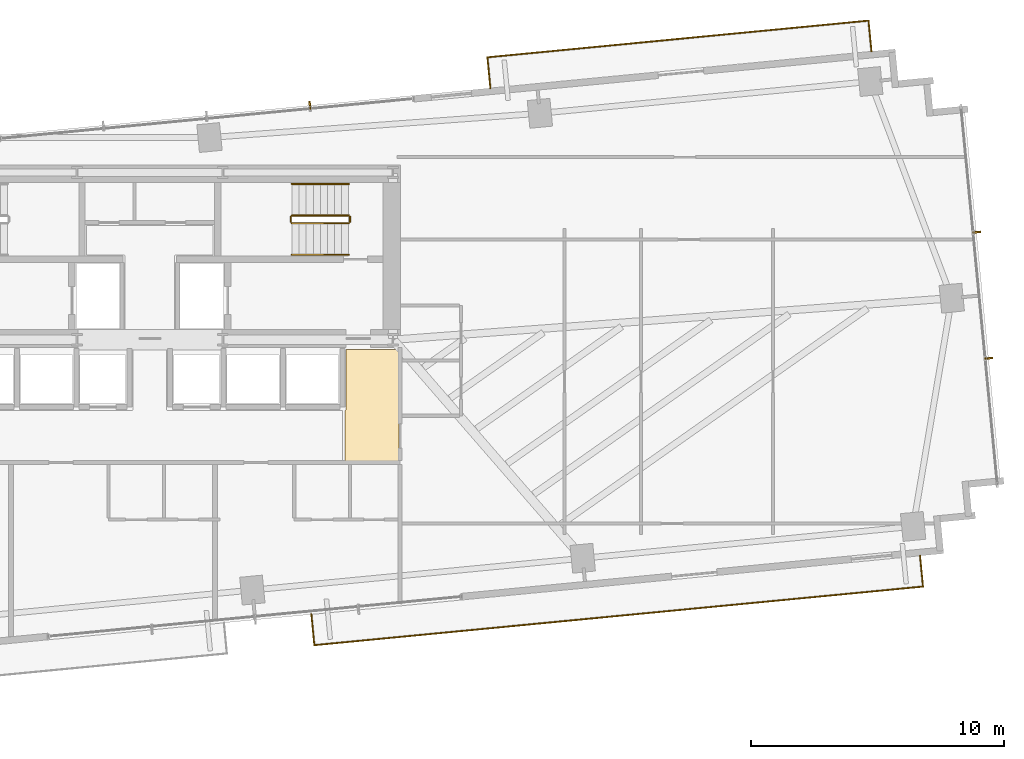
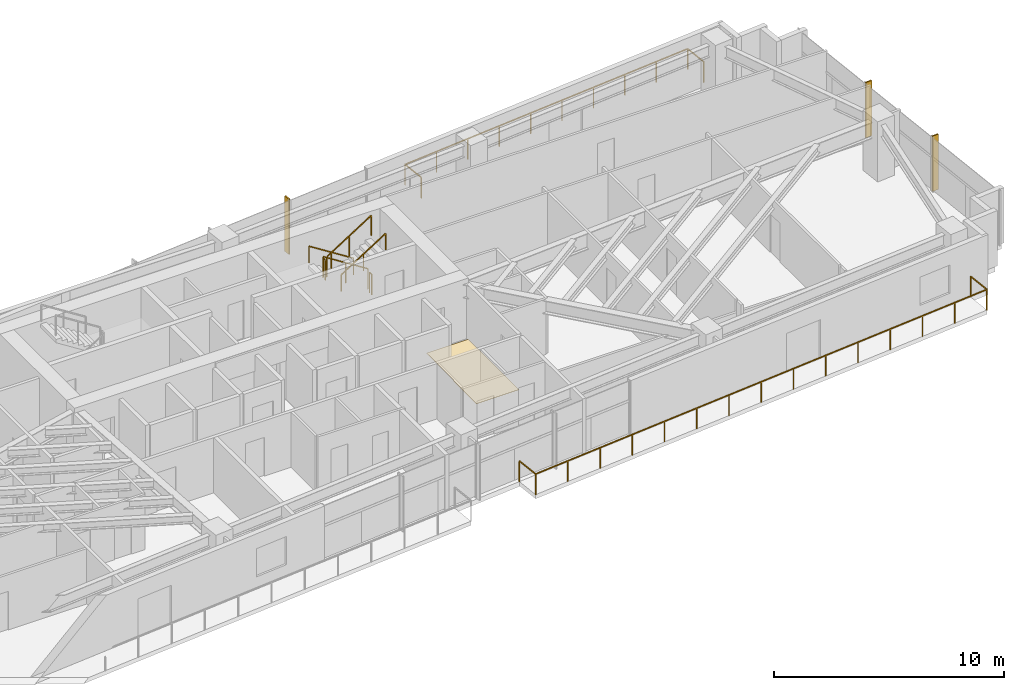
# One storey, part 25 of 25: 8 railings, 3 shading devices, 1 covering.
"""IFC4 building model written with IfcOpenShell, lengths in metres."""

from ifc_helpers import new_model, si_unit, direction, frame, origin, origin_2d, place, context, subcontext, project, spatial, polyline, rectangle, outline, extrude, source, transform, mapped, material, layer, layer_set, type_object, type_shapes, element, save


model = new_model("IFC4")

# Units and contexts
model_context = context("Model", 3, precision=1e-05, world=origin(), true_north=direction((0.0, 1.0)))
body_context = subcontext(model_context, "Body", "Model", "MODEL_VIEW")
ifc_project = project(units=[si_unit("LENGTHUNIT", "METRE"), si_unit("AREAUNIT", "SQUARE_METRE"), si_unit("VOLUMEUNIT", "CUBIC_METRE"), si_unit("PLANEANGLEUNIT", "RADIAN"), si_unit("MASSUNIT", "GRAM", prefix="KILO")], contexts=[model_context])

# Site, building, storey
site_placement = place(None, origin())
site = spatial("IfcSite", under=ifc_project, at=site_placement, CompositionType="ELEMENT")
building_placement = place(site_placement, origin())
building = spatial("IfcBuilding", under=site, at=building_placement, Name="Astriad Promenade Condominiums", CompositionType="ELEMENT")
storey_placement = place(building_placement, frame((0.0, 0.0, 100.199951171875)))
storey = spatial("IfcBuildingStorey", under=building, at=storey_placement, Name="L28", CompositionType="ELEMENT", Elevation=100.199951171875)

# Covering
ifc_material_1 = material(Name="Polished Lakefront Terrazzo Flooring")
ifc_layer = layer(ifc_material_1, 0.02001953125)
ifc_layer_set = layer_set([ifc_layer], Name="Polished Lakefront Terrazzo Flooring")
covering_type = type_object("IfcCoveringType", Name="COV-FLOR-TERRAZZO-20", PredefinedType="FLOORING", material=ifc_layer_set)
covering_placement = place(storey_placement, origin())
element("IfcCovering", 1, at=covering_placement, inside=storey, type_object=covering_type, Name="FLR-L28-COR-1", PredefinedType="FLOORING", context=body_context, shape_type="SweptSolid", body=[
    extrude(outline(polyline([(43.699951171875, 12.590087890625), (43.699951171875, 14.610107421875), (43.703857421875, 14.610107421875), (43.707763671875, 14.61083984375), (43.711669921875, 14.61181640625), (43.71533203125, 14.613037109375), (43.718994140625, 14.61474609375), (43.72216796875, 14.61669921875), (43.725341796875, 14.619140625), (43.728271484375, 14.62158203125), (43.73095703125, 14.62451171875), (43.7333984375, 14.627685546875), (43.7353515625, 14.631103515625), (43.737060546875, 14.634765625), (43.73828125, 14.638427734375), (43.7392578125, 14.64208984375), (43.73974609375, 14.64599609375), (43.739990234375, 14.64990234375), (43.739990234375, 17.010009765625), (45.840087890625, 17.010009765625), (45.840087890625, 12.590087890625), (43.699951171875, 12.590087890625)])), origin(), (0.0, 0.0, 1.0), 0.02001953125),
])

# Shading devices
ifc_material_2 = material(Name="Anodised aluminium 6063-T6 Black Fin", Category="aluminium")
shading_device_type = type_object("IfcShadingDeviceType", Name="FIN-BLACK-320", PredefinedType="USERDEFINED", material=ifc_material_2)
shared_shape_1 = source(origin(), body_context, "Body", "SweptSolid", [
    extrude(rectangle(XDim=0.06494140625, YDim=0.320068359375, at=origin_2d()), origin(), (0.0, 0.0, 1.0), 2.93994140625),
])
type_shapes(shading_device_type, [shared_shape_1])
for number, where, z_axis, x_axis, name in (
    (2, (42.31689453125, 26.656494140625, 0.0), (0.0, 0.0, 1.0), (0.995396198367, 0.09584575252, 0.0), "CW-L28-N-FIN-03"),
    (3, (68.63330078125, 21.6455078125, 0.0), (0.0, 0.0, 1.0), (0.09584575252, -0.995396198367, 0.0), "CW-L28-E-FIN-01"),
    (4, (69.1123046875, 16.668701171875, 0.0), (0.0, 0.0, 1.0), (0.09584575252, -0.995396198367, 0.0), "CW-L28-E-FIN-02"),
):
    element("IfcShadingDevice", number, at=place(storey_placement, frame(where, z_axis=z_axis, x_axis=x_axis)), inside=storey, type_object=shading_device_type, Name=name, ObjectType="FIN", PredefinedType="USERDEFINED", context=body_context, shape_type="MappedRepresentation", body=[
        mapped(shared_shape_1, transform((0.0, 0.0, 0.0), scale=1.0)),
    ])

# Railings
ifc_material_3 = material(Name="Laminated Glass and Stainless Steel Balustrade", Category="steel")
railing_type_1 = type_object("IfcRailingType", Name="GRD-BALC-1120", PredefinedType="BALUSTRADE", material=ifc_material_3)
shared_shape_2 = source(origin(), body_context, "Body", "SweptSolid", [
    extrude(rectangle(XDim=0.048095703125, YDim=0.048095703125, at=origin_2d()), frame((0.0, 0.0, 1.09619140625), z_axis=(0.095857307208, -0.99539508571, 0.0), x_axis=(0.99539508571, 0.095857307208, 0.0)), (0.0, 0.0, 1.0), 1.219970703125),
    extrude(rectangle(XDim=0.048095703125, YDim=0.048095703125, at=origin_2d()), frame((0.116943359375, -1.21435546875, 1.09619140625), z_axis=(0.995396732524, 0.095840204924, 0.0), x_axis=(-0.095840204924, 0.995396732524, 0.0)), (0.0, 0.0, 1.0), 24.1337890625),
    extrude(rectangle(XDim=0.048095703125, YDim=0.048095703125, at=origin_2d()), frame((24.1396484375, 1.0986328125, 1.09619140625), z_axis=(-0.095659020692, 0.99541416092, 0.0), x_axis=(-0.99541416092, -0.095659020692, 0.0)), (0.0, 0.0, 1.0), 1.219970703125),
    extrude(rectangle(XDim=0.0419921875, YDim=0.0419921875, at=origin_2d()), origin(), (0.0, 0.0, 1.0), 1.072021484375),
    extrude(rectangle(XDim=0.0419921875, YDim=0.0419921875, at=origin_2d()), frame((0.116943359375, -1.21435546875, 0.0)), (0.0, 0.0, 1.0), 1.072021484375),
    extrude(rectangle(XDim=0.0419921875, YDim=0.0419921875, at=origin_2d()), frame((1.832763671875, -1.049072265625, 0.0)), (0.0, 0.0, 1.0), 1.072021484375),
    extrude(rectangle(XDim=0.0419921875, YDim=0.0419921875, at=origin_2d()), frame((3.548828125, -0.884033203125, 0.0)), (0.0, 0.0, 1.0), 1.072021484375),
    extrude(rectangle(XDim=0.0419921875, YDim=0.0419921875, at=origin_2d()), frame((5.2646484375, -0.71875, 0.0)), (0.0, 0.0, 1.0), 1.072021484375),
    extrude(rectangle(XDim=0.0419921875, YDim=0.0419921875, at=origin_2d()), frame((6.98046875, -0.553466796875, 0.0)), (0.0, 0.0, 1.0), 1.072021484375),
    extrude(rectangle(XDim=0.0419921875, YDim=0.0419921875, at=origin_2d()), frame((8.696533203125, -0.38818359375, 0.0)), (0.0, 0.0, 1.0), 1.072021484375),
    extrude(rectangle(XDim=0.0419921875, YDim=0.0419921875, at=origin_2d()), frame((10.412353515625, -0.22314453125, 0.0)), (0.0, 0.0, 1.0), 1.072021484375),
    extrude(rectangle(XDim=0.0419921875, YDim=0.0419921875, at=origin_2d()), frame((12.12841796875, -0.057861328125, 0.0)), (0.0, 0.0, 1.0), 1.072021484375),
    extrude(rectangle(XDim=0.0419921875, YDim=0.0419921875, at=origin_2d()), frame((13.84423828125, 0.107421875, 0.0)), (0.0, 0.0, 1.0), 1.072021484375),
    extrude(rectangle(XDim=0.0419921875, YDim=0.0419921875, at=origin_2d()), frame((15.56005859375, 0.2724609375, 0.0)), (0.0, 0.0, 1.0), 1.072021484375),
    extrude(rectangle(XDim=0.0419921875, YDim=0.0419921875, at=origin_2d()), frame((17.276123046875, 0.437744140625, 0.0)), (0.0, 0.0, 1.0), 1.072021484375),
    extrude(rectangle(XDim=0.0419921875, YDim=0.0419921875, at=origin_2d()), frame((18.991943359375, 0.60302734375, 0.0)), (0.0, 0.0, 1.0), 1.072021484375),
    extrude(rectangle(XDim=0.0419921875, YDim=0.0419921875, at=origin_2d()), frame((20.707763671875, 0.768310546875, 0.0)), (0.0, 0.0, 1.0), 1.072021484375),
    extrude(rectangle(XDim=0.0419921875, YDim=0.0419921875, at=origin_2d()), frame((22.423828125, 0.933349609375, 0.0)), (0.0, 0.0, 1.0), 1.072021484375),
    extrude(rectangle(XDim=0.0419921875, YDim=0.0419921875, at=origin_2d()), frame((24.1396484375, 1.0986328125, 0.0)), (0.0, 0.0, 1.0), 1.072021484375),
    extrude(rectangle(XDim=0.0419921875, YDim=0.0419921875, at=origin_2d()), frame((24.02294921875, 2.31298828125, 0.0)), (0.0, 0.0, 1.0), 1.072021484375),
])
railing_1_placement = place(storey_placement, frame((42.375244140625, 6.5595703125, 0.0)))
element("IfcRailing", 5, at=railing_1_placement, inside=storey, type_object=railing_type_1, Name="GRD-BALC-L28-SE", PredefinedType="BALUSTRADE", context=body_context, shape_type="MappedRepresentation", body=[
    mapped(shared_shape_2, transform((0.0, 0.0, 0.0), scale=1.0)),
])
shared_shape_3 = source(origin(), body_context, "Body", "SweptSolid", [
    extrude(rectangle(XDim=0.048095703125, YDim=0.048095703125, at=origin_2d()), frame((0.0, 0.0, 1.09619140625), z_axis=(-0.095857307208, 0.99539508571, 0.0), x_axis=(-0.99539508571, -0.095857307208, 0.0)), (0.0, 0.0, 1.0), 1.219970703125),
    extrude(rectangle(XDim=0.048095703125, YDim=0.048095703125, at=origin_2d()), frame((-0.116943359375, 1.21435546875, 1.09619140625), z_axis=(-0.995396765983, -0.095839857423, 0.0), x_axis=(0.095839857423, -0.995396765983, 0.0)), (0.0, 0.0, 1.0), 15.111083984375),
    extrude(rectangle(XDim=0.048095703125, YDim=0.048095703125, at=origin_2d()), frame((-15.158447265625, -0.23388671875, 1.09619140625), z_axis=(0.095857307208, -0.99539508571, 0.0), x_axis=(0.99539508571, 0.095857307208, 0.0)), (0.0, 0.0, 1.0), 1.219970703125),
    extrude(rectangle(XDim=0.0419921875, YDim=0.0419921875, at=origin_2d()), origin(), (0.0, 0.0, 1.0), 1.072021484375),
    extrude(rectangle(XDim=0.0419921875, YDim=0.0419921875, at=origin_2d()), frame((-0.116943359375, 1.21435546875, 0.0)), (0.0, 0.0, 1.0), 1.072021484375),
    extrude(rectangle(XDim=0.0419921875, YDim=0.0419921875, at=origin_2d()), frame((-1.788330078125, 1.053466796875, 0.0)), (0.0, 0.0, 1.0), 1.072021484375),
    extrude(rectangle(XDim=0.0419921875, YDim=0.0419921875, at=origin_2d()), frame((-3.45947265625, 0.892578125, 0.0)), (0.0, 0.0, 1.0), 1.072021484375),
    extrude(rectangle(XDim=0.0419921875, YDim=0.0419921875, at=origin_2d()), frame((-5.130859375, 0.731689453125, 0.0)), (0.0, 0.0, 1.0), 1.072021484375),
    extrude(rectangle(XDim=0.0419921875, YDim=0.0419921875, at=origin_2d()), frame((-6.802001953125, 0.57080078125, 0.0)), (0.0, 0.0, 1.0), 1.072021484375),
    extrude(rectangle(XDim=0.0419921875, YDim=0.0419921875, at=origin_2d()), frame((-8.473388671875, 0.40966796875, 0.0)), (0.0, 0.0, 1.0), 1.072021484375),
    extrude(rectangle(XDim=0.0419921875, YDim=0.0419921875, at=origin_2d()), frame((-10.14453125, 0.248779296875, 0.0)), (0.0, 0.0, 1.0), 1.072021484375),
    extrude(rectangle(XDim=0.0419921875, YDim=0.0419921875, at=origin_2d()), frame((-11.81591796875, 0.087890625, 0.0)), (0.0, 0.0, 1.0), 1.072021484375),
    extrude(rectangle(XDim=0.0419921875, YDim=0.0419921875, at=origin_2d()), frame((-13.487060546875, -0.072998046875, 0.0)), (0.0, 0.0, 1.0), 1.072021484375),
    extrude(rectangle(XDim=0.0419921875, YDim=0.0419921875, at=origin_2d()), frame((-15.158447265625, -0.23388671875, 0.0)), (0.0, 0.0, 1.0), 1.072021484375),
    extrude(rectangle(XDim=0.0419921875, YDim=0.0419921875, at=origin_2d()), frame((-15.04150390625, -1.4482421875, 0.0)), (0.0, 0.0, 1.0), 1.072021484375),
])
type_shapes(railing_type_1, [shared_shape_2, shared_shape_3])
railing_2_placement = place(storey_placement, frame((64.481201171875, 28.780517578125, 0.0)))
element("IfcRailing", 6, at=railing_2_placement, inside=storey, type_object=railing_type_1, Name="GRD-BALC-L28-NE", PredefinedType="BALUSTRADE", context=body_context, shape_type="MappedRepresentation", body=[
    mapped(shared_shape_3, transform((0.0, 0.0, 0.0), scale=1.0)),
])
ifc_material_4 = material(Name="Painted Galvanised Steel Guardrail", Category="steel")
railing_type_2 = type_object("IfcRailingType", Name="GRD-STAIR-1100", PredefinedType="GUARDRAIL", material=ifc_material_4)
shared_shape_4 = source(origin(), body_context, "Body", "SweptSolid", [
    extrude(rectangle(XDim=0.048095703125, YDim=0.048095703125, at=origin_2d()), frame((0.0, 0.0, 1.076171875), z_axis=(0.8442293374, 0.0, 0.53598211339), x_axis=(0.0, 1.0, 0.0)), (0.0, 0.0, 1.0), 2.6533203125),
    extrude(rectangle(XDim=0.0419921875, YDim=0.0419921875, at=origin_2d()), origin(), (0.0, 0.0, 1.0), 1.052001953125),
    extrude(rectangle(XDim=0.0419921875, YDim=0.0419921875, at=origin_2d()), frame((1.1201171875, 0.0, 0.7109375)), (0.0, 0.0, 1.0), 1.052001953125),
    extrude(rectangle(XDim=0.0419921875, YDim=0.0419921875, at=origin_2d()), frame((2.239990234375, 0.0, 1.422119140625)), (0.0, 0.0, 1.0), 1.052001953125),
])
railing_3_placement = place(storey_placement, frame((41.610107421875, 22.0, 1.77783203125)))
element("IfcRailing", 7, at=railing_3_placement, inside=storey, type_object=railing_type_2, Name="L28 ST-2 stair guard 3", PredefinedType="GUARDRAIL", context=body_context, shape_type="MappedRepresentation", body=[
    mapped(shared_shape_4, transform((0.0, 0.0, 0.0), scale=1.0)),
])
shared_shape_5 = source(origin(), body_context, "Body", "SweptSolid", [
    extrude(rectangle(XDim=0.048095703125, YDim=0.048095703125, at=origin_2d()), frame((0.0, 0.0, 1.076171875), z_axis=(-0.84418770128, 0.0, 0.536047689118), x_axis=(0.0, -1.0, 0.0)), (0.0, 0.0, 1.0), 2.6533203125),
    extrude(rectangle(XDim=0.0419921875, YDim=0.0419921875, at=origin_2d()), origin(), (0.0, 0.0, 1.0), 1.052001953125),
    extrude(rectangle(XDim=0.0419921875, YDim=0.0419921875, at=origin_2d()), frame((-1.1201171875, 0.0, 0.711181640625)), (0.0, 0.0, 1.0), 1.052001953125),
    extrude(rectangle(XDim=0.0419921875, YDim=0.0419921875, at=origin_2d()), frame((-2.239990234375, 0.0, 1.42236328125)), (0.0, 0.0, 1.0), 1.052001953125),
])
railing_4_placement = place(storey_placement, frame((43.85009765625, 22.300048828125, 0.177734375)))
element("IfcRailing", 8, at=railing_4_placement, inside=storey, type_object=railing_type_2, Name="L28 ST-2 stair guard 1", PredefinedType="GUARDRAIL", context=body_context, shape_type="MappedRepresentation", body=[
    mapped(shared_shape_5, transform((0.0, 0.0, 0.0), scale=1.0)),
])
ifc_material_5 = material(Name="Brushed Stainless Steel Handrail", Category="steel")
railing_type_3 = type_object("IfcRailingType", Name="HRL-STAIR-920", PredefinedType="HANDRAIL", material=ifc_material_5)
shared_shape_6 = source(origin(), body_context, "Body", "SweptSolid", [
    extrude(rectangle(XDim=0.048095703125, YDim=0.048095703125, at=origin_2d()), frame((0.0, 0.0, 0.8759765625), z_axis=(0.8442293374, 0.0, 0.53598211339), x_axis=(0.0, 1.0, 0.0)), (0.0, 0.0, 1.0), 2.6533203125),
    extrude(rectangle(XDim=0.0419921875, YDim=0.0419921875, at=origin_2d()), origin(), (0.0, 0.0, 1.0), 0.851806640625),
    extrude(rectangle(XDim=0.0419921875, YDim=0.0419921875, at=origin_2d()), frame((1.1201171875, 0.0, 0.7109375)), (0.0, 0.0, 1.0), 0.851806640625),
    extrude(rectangle(XDim=0.0419921875, YDim=0.0419921875, at=origin_2d()), frame((2.239990234375, 0.0, 1.422119140625)), (0.0, 0.0, 1.0), 0.851806640625),
])
railing_5_placement = place(storey_placement, frame((41.610107421875, 20.75, 1.77783203125)))
element("IfcRailing", 9, at=railing_5_placement, inside=storey, type_object=railing_type_3, Name="L28 ST-2 stair handrail 2", PredefinedType="HANDRAIL", context=body_context, shape_type="MappedRepresentation", body=[
    mapped(shared_shape_6, transform((0.0, 0.0, 0.0), scale=1.0)),
])
shared_shape_7 = source(origin(), body_context, "Body", "SweptSolid", [
    extrude(rectangle(XDim=0.048095703125, YDim=0.048095703125, at=origin_2d()), frame((0.0, 0.0, 0.8759765625), z_axis=(-0.84418770128, 0.0, 0.536047689118), x_axis=(0.0, -1.0, 0.0)), (0.0, 0.0, 1.0), 2.6533203125),
    extrude(rectangle(XDim=0.0419921875, YDim=0.0419921875, at=origin_2d()), origin(), (0.0, 0.0, 1.0), 0.851806640625),
    extrude(rectangle(XDim=0.0419921875, YDim=0.0419921875, at=origin_2d()), frame((-1.1201171875, 0.0, 0.711181640625)), (0.0, 0.0, 1.0), 0.851806640625),
    extrude(rectangle(XDim=0.0419921875, YDim=0.0419921875, at=origin_2d()), frame((-2.239990234375, 0.0, 1.42236328125)), (0.0, 0.0, 1.0), 0.851806640625),
])
type_shapes(railing_type_3, [shared_shape_6, shared_shape_7])
railing_6_placement = place(storey_placement, frame((43.85009765625, 23.550048828125, 0.177734375)))
element("IfcRailing", 10, at=railing_6_placement, inside=storey, type_object=railing_type_3, Name="L28 ST-2 stair handrail 1", PredefinedType="HANDRAIL", context=body_context, shape_type="MappedRepresentation", body=[
    mapped(shared_shape_7, transform((0.0, 0.0, 0.0), scale=1.0)),
])
shared_shape_8 = source(origin(), body_context, "Body", "SweptSolid", [
    extrude(rectangle(XDim=0.048095703125, YDim=0.048095703125, at=origin_2d()), frame((0.0, 0.0, 1.076171875), z_axis=(0.0, -1.0, 0.0), x_axis=(1.0, 0.0, 0.0)), (0.0, 0.0, 1.0), 0.199951171875),
    extrude(rectangle(XDim=0.0419921875, YDim=0.0419921875, at=origin_2d()), origin(), (0.0, 0.0, 1.0), 1.052001953125),
    extrude(rectangle(XDim=0.0419921875, YDim=0.0419921875, at=origin_2d()), frame((0.0, -0.199951171875, 0.0)), (0.0, 0.0, 1.0), 1.052001953125),
])
type_shapes(railing_type_2, [shared_shape_4, shared_shape_5, shared_shape_8])
for number, where, name in (
    (11, (41.56005859375, 22.25, 1.60009765625), "L28 ST-2 stair guard 2"),
    (12, (43.89990234375, 22.25, 0.0), "L28 ST-2 stair guard 4"),
):
    element("IfcRailing", number, at=place(storey_placement, frame(where)), inside=storey, type_object=railing_type_2, Name=name, PredefinedType="GUARDRAIL", context=body_context, shape_type="MappedRepresentation", body=[
        mapped(shared_shape_8, transform((0.0, 0.0, 0.0), scale=1.0)),
    ])

save(model, "model.ifc")
